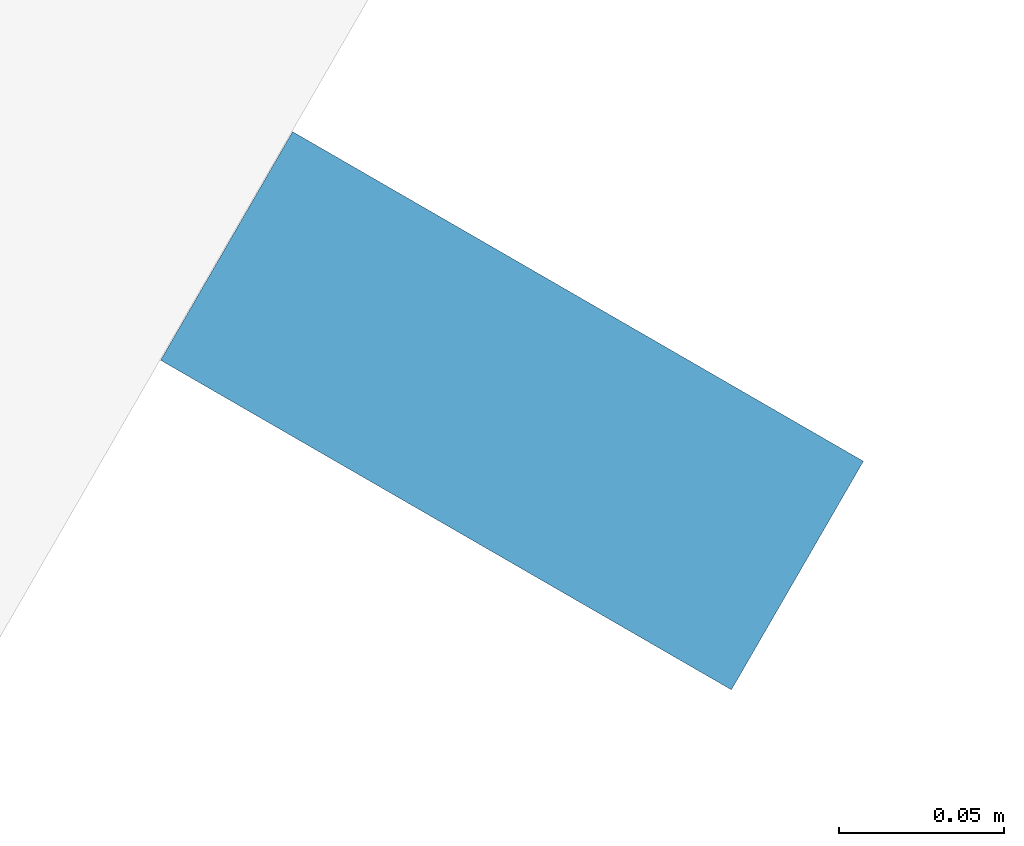
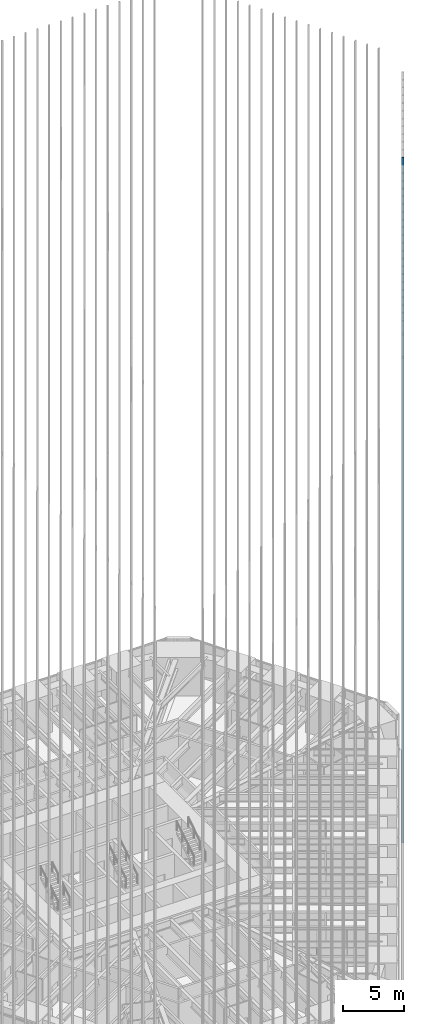
# One storey, part 116 of 256: 1 member, 1 element without a shape of its own.
"""IFC4 building model written with IfcOpenShell, lengths in metres."""

from ifc_helpers import new_model, si_unit, direction, frame, origin, origin_2d, place, context, subcontext, project, spatial, rectangle, extrude, material, material_profile, profile_set, type_object, element, aggregate, save


model = new_model("IFC4")

# Units and contexts
model_context = context("Model", 3, precision=1e-05, world=origin(), true_north=direction((0.0, 1.0)))
body_context = subcontext(model_context, "Body", "Model", "MODEL_VIEW")
ifc_project = project(units=[si_unit("LENGTHUNIT", "METRE"), si_unit("AREAUNIT", "SQUARE_METRE"), si_unit("VOLUMEUNIT", "CUBIC_METRE"), si_unit("PLANEANGLEUNIT", "RADIAN"), si_unit("MASSUNIT", "GRAM", prefix="KILO")], contexts=[model_context])

# Site, building, storey
site_placement = place(None, origin())
site = spatial("IfcSite", under=ifc_project, at=site_placement, CompositionType="ELEMENT")
building_placement = place(site_placement, origin())
building = spatial("IfcBuilding", under=site, at=building_placement, Name="Sandreach Pilgrim Tower", CompositionType="ELEMENT")
storey_placement = place(building_placement, frame((0.0, 0.0, 23.0)))
storey = spatial("IfcBuildingStorey", under=building, at=storey_placement, Name="L04", CompositionType="ELEMENT", Elevation=23.0)

# Curtain wall, member
ifc_material_1 = material(Name="Aluminium framed curtain wall", Category="aluminium")
curtain_wall_type = type_object("IfcCurtainWallType", Name="Hostel tower curtain wall", PredefinedType="NOTDEFINED", material=ifc_material_1)
curtain_wall_placement = place(storey_placement, origin())
curtain_wall = element("IfcCurtainWall", 1, at=curtain_wall_placement, inside=storey, type_object=curtain_wall_type, Name="CW-1 L04 SE", PredefinedType="NOTDEFINED")
ifc_material_2 = material(Name="Extruded terracotta on aluminium core", Category="masonry")
ifc_material_profile = material_profile(ifc_material_2, rectangle(XDim=0.080078125, YDim=0.199951171875, at=origin_2d()), Name="TBE 80X200")
ifc_profile_set = profile_set([ifc_material_profile], Name="Extruded terracotta on aluminium core")
member_type = type_object("IfcMemberType", Name="Terracotta baguette east", PredefinedType="USERDEFINED", material=ifc_profile_set)
member_placement = place(storey_placement, frame((24.40380859375, -6.428955078125, 0.0), z_axis=(0.0, 0.0, 1.0), x_axis=(-0.5, -0.866025403784, 0.0)))
member = element("IfcMember", 2, at=member_placement, type_object=member_type, Name="Baguette Z1 SE12", ObjectType="BAGUETTE", PredefinedType="USERDEFINED", context=body_context, shape_type="SweptSolid", body=[
    extrude(rectangle(XDim=0.080078125, YDim=0.199951171875, at=origin_2d()), origin(), (0.0, 0.0, 1.0), 68.239990234375),
])
aggregate(curtain_wall, [member])

save(model, "model.ifc")
